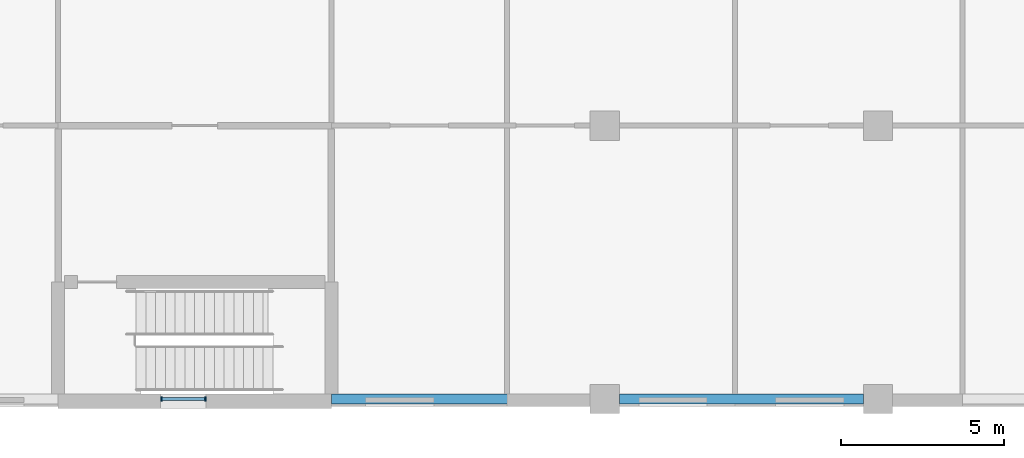
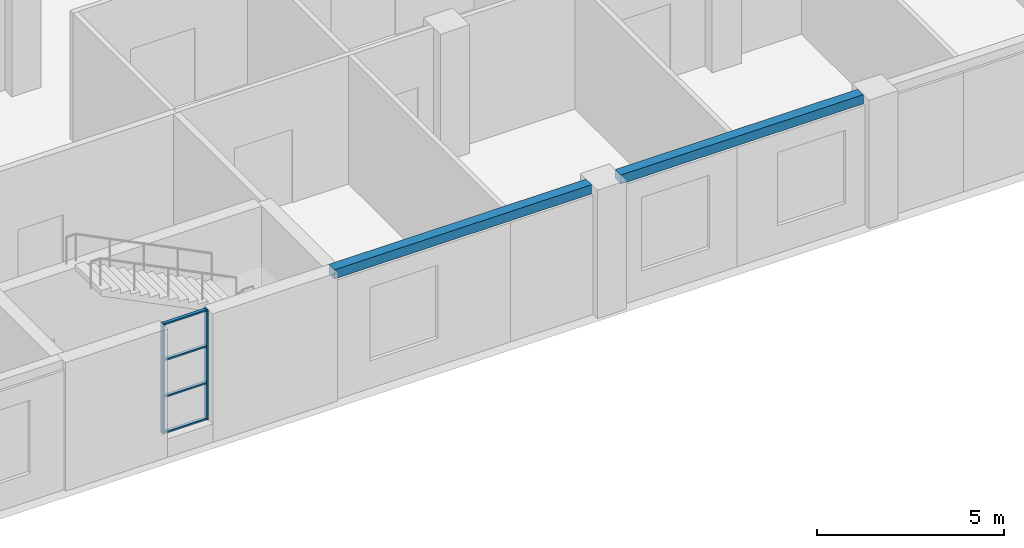
# One storey, part 10 of 66: 6 members, 2 beams, 1 element without a shape of its own.
"""IFC4 building model written with IfcOpenShell, lengths in metres."""

from ifc_helpers import new_model, si_unit, direction, frame, origin, origin_2d, place, context, subcontext, project, spatial, rectangle, extrude, material, material_profile, profile_set, type_object, element, aggregate, save


model = new_model("IFC4")

# Units and contexts
model_context = context("Model", 3, precision=1e-05, world=origin(), true_north=direction((0.0, 1.0)))
body_context = subcontext(model_context, "Body", "Model", "MODEL_VIEW")
ifc_project = project(units=[si_unit("LENGTHUNIT", "METRE"), si_unit("AREAUNIT", "SQUARE_METRE"), si_unit("VOLUMEUNIT", "CUBIC_METRE"), si_unit("PLANEANGLEUNIT", "RADIAN"), si_unit("MASSUNIT", "GRAM", prefix="KILO")], contexts=[model_context])

# Site, building, storey
site_placement = place(None, origin())
site = spatial("IfcSite", under=ifc_project, at=site_placement, CompositionType="ELEMENT")
building_placement = place(site_placement, origin())
building = spatial("IfcBuilding", under=site, at=building_placement, Name="Yavir Park General Hospital", CompositionType="ELEMENT")
storey_placement = place(building_placement, frame((0.0, 0.0, 8.39990234375)))
storey = spatial("IfcBuildingStorey", under=building, at=storey_placement, Name="L02", CompositionType="ELEMENT", Elevation=8.39990234375)

# Beams
ifc_material_1 = material(Name="Concrete C35/45", Category="concrete")
ifc_material_profile_1 = material_profile(ifc_material_1, rectangle(XDim=0.300048828125, YDim=0.300048828125, at=origin_2d()), Name="RC300x300")
ifc_profile_set_1 = profile_set([ifc_material_profile_1], Name="Concrete C35/45")
beam_type = type_object("IfcBeamType", Name="RC BEAM 300x300 edge beam", PredefinedType="BEAM", material=ifc_profile_set_1)
beam_1_placement = place(storey_placement, frame((75.60009765625, 0.0, 4.050048828125), z_axis=(1.0, 0.0, 0.0), x_axis=(0.0, 1.0, 0.0)))
element("IfcBeam", 1, at=beam_1_placement, inside=storey, type_object=beam_type, Name="B:EDGE:L02:008", PredefinedType="BEAM", context=body_context, shape_type="SweptSolid", body=[
    extrude(rectangle(XDim=0.300048828125, YDim=0.300048828125, at=origin_2d()), origin(), (0.0, 0.0, 1.0), 7.949951171875),
])
beam_2_placement = place(storey_placement, frame((84.449951171875, 0.0, 4.050048828125), z_axis=(1.0, 0.0, 0.0), x_axis=(0.0, 1.0, 0.0)))
element("IfcBeam", 2, at=beam_2_placement, inside=storey, type_object=beam_type, Name="B:EDGE:L02:009", PredefinedType="BEAM", context=body_context, shape_type="SweptSolid", body=[
    extrude(rectangle(XDim=0.300048828125, YDim=0.300048828125, at=origin_2d()), origin(), (0.0, 0.0, 1.0), 7.5),
])

# Curtain wall, members
ifc_material_2 = material(Name="Aluminium curtain wall frame with insulated glazing", Category="aluminium")
curtain_wall_type = type_object("IfcCurtainWallType", Name="Stair light slot, podium, 3600 high, 1400 module", PredefinedType="NOTDEFINED", material=ifc_material_2)
curtain_wall_placement = place(storey_placement, origin())
curtain_wall = element("IfcCurtainWall", 3, at=curtain_wall_placement, inside=storey, type_object=curtain_wall_type, Name="CW57 L02-002", PredefinedType="NOTDEFINED")
ifc_material_3 = material(Name="Aluminium", Category="aluminium")
ifc_material_profile_2 = material_profile(ifc_material_3, rectangle(XDim=0.139892578125, YDim=0.050048828125, at=origin_2d()), Name="AL 50x140")
ifc_profile_set_2 = profile_set([ifc_material_profile_2], Name="Aluminium")
member_type_1 = type_object("IfcMemberType", Name="Stair light slot, podium, 3600 high mullion 50 x 140", PredefinedType="MULLION", material=ifc_profile_set_2)
member_1_placement = place(storey_placement, frame((70.375, 0.0, 0.60009765625), z_axis=(0.0, 0.0, 1.0), x_axis=(0.0, 1.0, 0.0)))
member_1 = element("IfcMember", 4, at=member_1_placement, type_object=member_type_1, Name="CW57 mullion 1", PredefinedType="MULLION", context=body_context, shape_type="SweptSolid", body=[
    extrude(rectangle(XDim=0.139892578125, YDim=0.050048828125, at=origin_2d()), origin(), (0.0, 0.0, 1.0), 3.60009765625),
])
member_2_placement = place(storey_placement, frame((71.72509765625, 0.0, 0.60009765625), z_axis=(0.0, 0.0, 1.0), x_axis=(0.0, 1.0, 0.0)))
member_2 = element("IfcMember", 5, at=member_2_placement, type_object=member_type_1, Name="CW57 mullion 2", PredefinedType="MULLION", context=body_context, shape_type="SweptSolid", body=[
    extrude(rectangle(XDim=0.139892578125, YDim=0.050048828125, at=origin_2d()), origin(), (0.0, 0.0, 1.0), 3.60009765625),
])
ifc_material_4 = material(Name="Aluminium", Category="aluminium")
ifc_material_profile_3 = material_profile(ifc_material_4, rectangle(XDim=0.10009765625, YDim=0.050048828125, at=origin_2d()), Name="AL 100x50")
ifc_profile_set_3 = profile_set([ifc_material_profile_3], Name="Aluminium")
member_type_2 = type_object("IfcMemberType", Name="Stair light slot, podium, 3600 high transom 50 x 100", PredefinedType="MULLION", material=ifc_profile_set_3)
member_3_placement = place(storey_placement, frame((70.39990234375, 0.0, 0.625), z_axis=(1.0, 0.0, 0.0), x_axis=(0.0, 1.0, 0.0)))
member_3 = element("IfcMember", 6, at=member_3_placement, type_object=member_type_2, Name="CW57 transom 1.1", PredefinedType="MULLION", context=body_context, shape_type="SweptSolid", body=[
    extrude(rectangle(XDim=0.10009765625, YDim=0.050048828125, at=origin_2d()), origin(), (0.0, 0.0, 1.0), 1.300048828125),
])
member_4_placement = place(storey_placement, frame((70.39990234375, 0.0, 1.800048828125), z_axis=(1.0, 0.0, 0.0), x_axis=(0.0, 1.0, 0.0)))
member_4 = element("IfcMember", 7, at=member_4_placement, type_object=member_type_2, Name="CW57 transom 1.2", PredefinedType="MULLION", context=body_context, shape_type="SweptSolid", body=[
    extrude(rectangle(XDim=0.10009765625, YDim=0.050048828125, at=origin_2d()), origin(), (0.0, 0.0, 1.0), 1.300048828125),
])
member_5_placement = place(storey_placement, frame((70.39990234375, 0.0, 3.0), z_axis=(1.0, 0.0, 0.0), x_axis=(0.0, 1.0, 0.0)))
member_5 = element("IfcMember", 8, at=member_5_placement, type_object=member_type_2, Name="CW57 transom 1.3", PredefinedType="MULLION", context=body_context, shape_type="SweptSolid", body=[
    extrude(rectangle(XDim=0.10009765625, YDim=0.050048828125, at=origin_2d()), origin(), (0.0, 0.0, 1.0), 1.300048828125),
])
member_6_placement = place(storey_placement, frame((70.39990234375, 0.0, 4.175048828125), z_axis=(1.0, 0.0, 0.0), x_axis=(0.0, 1.0, 0.0)))
member_6 = element("IfcMember", 9, at=member_6_placement, type_object=member_type_2, Name="CW57 transom 1.4", PredefinedType="MULLION", context=body_context, shape_type="SweptSolid", body=[
    extrude(rectangle(XDim=0.10009765625, YDim=0.050048828125, at=origin_2d()), origin(), (0.0, 0.0, 1.0), 1.300048828125),
])
aggregate(curtain_wall, [member_1, member_2, member_3, member_4, member_5, member_6])

save(model, "model.ifc")
